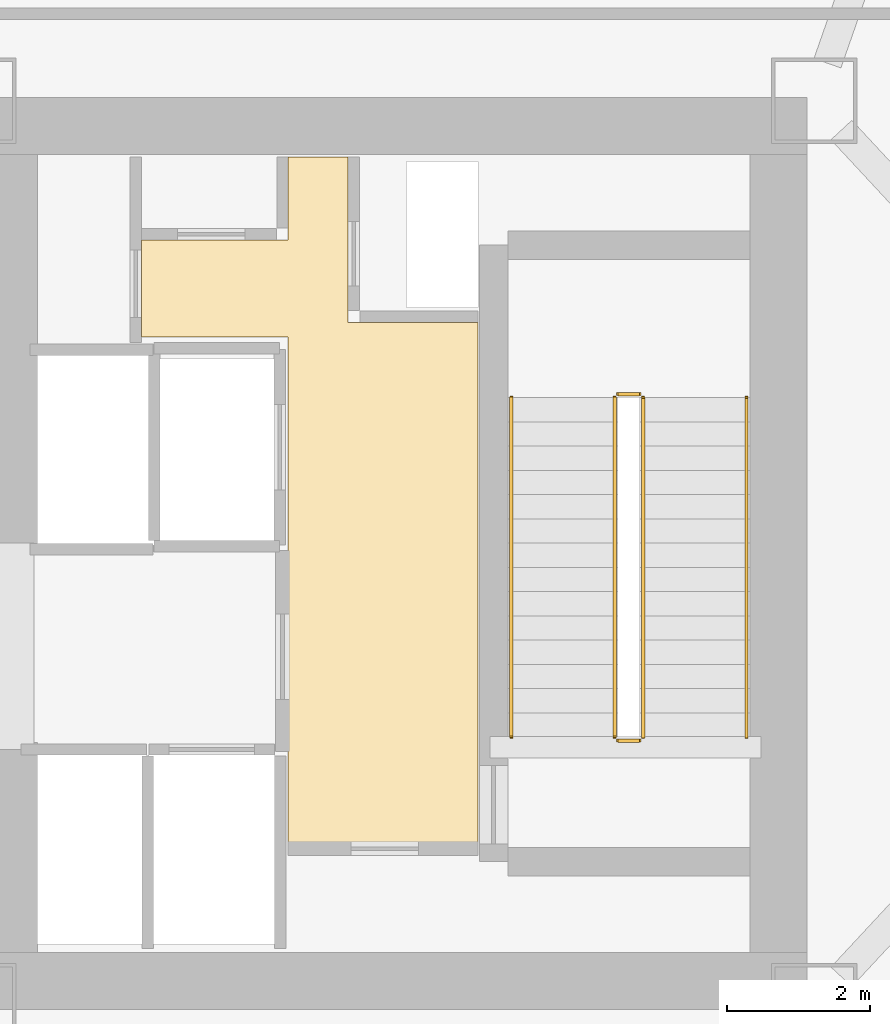
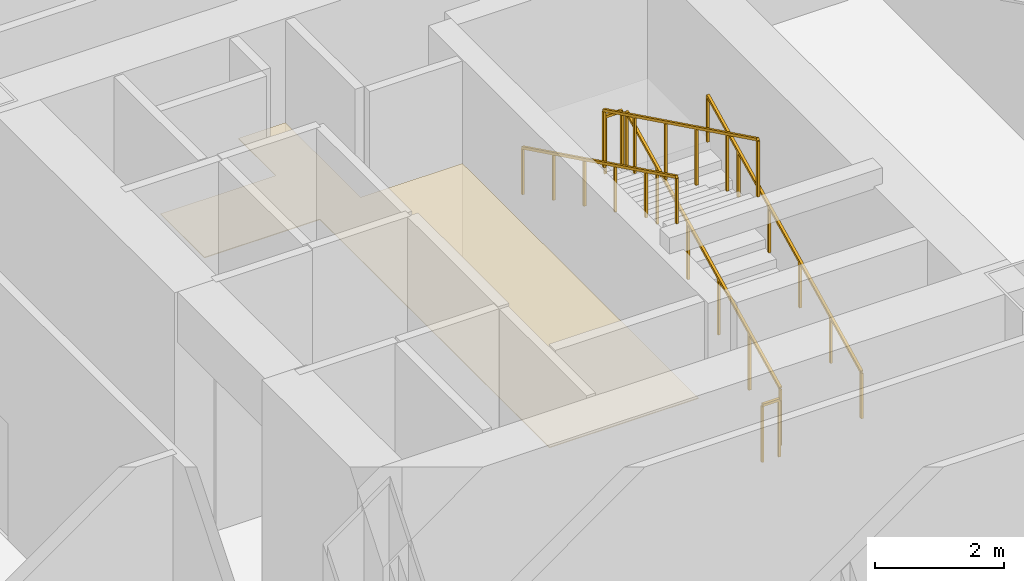
# One storey, part 21 of 21: 6 railings, 1 covering.
"""IFC4 building model written with IfcOpenShell, lengths in metres."""

from ifc_helpers import new_model, si_unit, direction, frame, origin, origin_2d, place, context, subcontext, project, spatial, polyline, rectangle, outline, extrude, material, layer, layer_set, type_object, element, save


model = new_model("IFC4")

# Units and contexts
model_context = context("Model", 3, precision=1e-05, world=origin(), true_north=direction((0.0, 1.0)))
body_context = subcontext(model_context, "Body", "Model", "MODEL_VIEW")
ifc_project = project(units=[si_unit("LENGTHUNIT", "METRE"), si_unit("AREAUNIT", "SQUARE_METRE"), si_unit("VOLUMEUNIT", "CUBIC_METRE"), si_unit("PLANEANGLEUNIT", "RADIAN"), si_unit("MASSUNIT", "GRAM", prefix="KILO")], contexts=[model_context])

# Site, building, storey
site_placement = place(None, origin())
site = spatial("IfcSite", under=ifc_project, at=site_placement, CompositionType="ELEMENT")
building_placement = place(site_placement, origin())
building = spatial("IfcBuilding", under=site, at=building_placement, Name="Tavrogorsk Clinical Tower", CompositionType="ELEMENT")
storey_placement = place(building_placement, frame((0.0, 0.0, 8.39990234375)))
storey = spatial("IfcBuildingStorey", under=building, at=storey_placement, Name="L01", CompositionType="ELEMENT", Elevation=8.39990234375)

# Covering
ifc_material_1 = material(Name="Antibacterial micro-perforated aluminium ceiling", Category="aluminium")
ifc_layer_1 = layer(ifc_material_1, 0.014892578125)
ifc_layer_set_1 = layer_set([ifc_layer_1], Name="Antibacterial micro-perforated aluminium ceiling")
covering_type = type_object("IfcCoveringType", Name="ClinicalCeiling_15", PredefinedType="CEILING", material=ifc_layer_set_1)
covering_placement = place(storey_placement, frame((0.0, 0.0, 2.75)))
element("IfcCovering", 1, at=covering_placement, inside=storey, type_object=covering_type, Name="Core East Firefighting Lift Lobby Acoustic Ceiling", PredefinedType="CEILING", context=body_context, shape_type="SweptSolid", body=[
    extrude(outline(polyline([(14.719970703125, 3.0400390625), (12.659912109375, 3.0400390625), (12.659912109375, 4.39990234375), (14.719970703125, 4.39990234375), (14.719970703125, 5.56005859375), (15.56005859375, 5.56005859375), (15.56005859375, 3.239990234375), (17.3798828125, 3.239990234375), (17.3798828125, -4.06005859375), (14.719970703125, -4.06005859375), (14.719970703125, 3.0400390625)])), origin(), (0.0, 0.0, 1.0), 0.01513671875),
])

# Railings
ifc_material_2 = material(Name="Galvanised steel S355 safety stairwell guard", Category="steel")
ifc_layer_2 = layer(ifc_material_2, 0.06005859375)
ifc_layer_set_2 = layer_set([ifc_layer_2], Name="Galvanised steel S355 safety stairwell guard")
railing_type_1 = type_object("IfcRailingType", Name="StairGuard_1150", PredefinedType="GUARDRAIL", material=ifc_layer_set_2)
railing_1_placement = place(storey_placement, frame((19.699951171875, -2.574951171875, 0.166748046875)))
element("IfcRailing", 2, at=railing_1_placement, inside=storey, type_object=railing_type_1, Name="L01 ST-E stair guard 1", PredefinedType="GUARDRAIL", context=body_context, shape_type="SweptSolid", body=[
    extrude(rectangle(XDim=0.048095703125, YDim=0.048095703125, at=origin_2d()), frame((0.0, 0.0, 1.076171875), z_axis=(0.0, 0.897927146867, 0.440144111535), x_axis=(-1.0, 0.0, 0.0)), (0.0, 0.0, 1.0), 5.301025390625),
    extrude(rectangle(XDim=0.0419921875, YDim=0.0419921875, at=origin_2d()), origin(), (0.0, 0.0, 1.0), 1.052001953125),
    extrude(rectangle(XDim=0.0419921875, YDim=0.0419921875, at=origin_2d()), frame((0.0, 0.951904296875, 0.466552734375)), (0.0, 0.0, 1.0), 1.052001953125),
    extrude(rectangle(XDim=0.0419921875, YDim=0.0419921875, at=origin_2d()), frame((0.0, 1.904052734375, 0.933349609375)), (0.0, 0.0, 1.0), 1.052001953125),
    extrude(rectangle(XDim=0.0419921875, YDim=0.0419921875, at=origin_2d()), frame((0.0, 2.85595703125, 1.39990234375)), (0.0, 0.0, 1.0), 1.052001953125),
    extrude(rectangle(XDim=0.0419921875, YDim=0.0419921875, at=origin_2d()), frame((0.0, 3.80810546875, 1.86669921875)), (0.0, 0.0, 1.0), 1.052001953125),
    extrude(rectangle(XDim=0.0419921875, YDim=0.0419921875, at=origin_2d()), frame((0.0, 4.760009765625, 2.333251953125)), (0.0, 0.0, 1.0), 1.052001953125),
])
railing_2_placement = place(storey_placement, frame((19.64990234375, 2.235107421875, 2.5)))
element("IfcRailing", 3, at=railing_2_placement, inside=storey, type_object=railing_type_1, Name="L01 ST-E stair guard 2", PredefinedType="GUARDRAIL", context=body_context, shape_type="SweptSolid", body=[
    extrude(rectangle(XDim=0.048095703125, YDim=0.048095703125, at=origin_2d()), frame((0.0, 0.0, 1.076171875), z_axis=(-1.0, 0.0, 0.0), x_axis=(0.0, -1.0, 0.0)), (0.0, 0.0, 1.0), 0.2998046875),
    extrude(rectangle(XDim=0.0419921875, YDim=0.0419921875, at=origin_2d()), origin(), (0.0, 0.0, 1.0), 1.052001953125),
    extrude(rectangle(XDim=0.0419921875, YDim=0.0419921875, at=origin_2d()), frame((-0.2998046875, 0.0, 0.0)), (0.0, 0.0, 1.0), 1.052001953125),
])
railing_3_placement = place(storey_placement, frame((19.300048828125, 2.18505859375, 2.666748046875)))
element("IfcRailing", 4, at=railing_3_placement, inside=storey, type_object=railing_type_1, Name="L01 ST-E stair guard 3", PredefinedType="GUARDRAIL", context=body_context, shape_type="SweptSolid", body=[
    extrude(rectangle(XDim=0.048095703125, YDim=0.048095703125, at=origin_2d()), frame((0.0, 0.0, 1.076171875), z_axis=(0.0, -0.897927146867, 0.440144111535), x_axis=(1.0, 0.0, 0.0)), (0.0, 0.0, 1.0), 5.301025390625),
    extrude(rectangle(XDim=0.0419921875, YDim=0.0419921875, at=origin_2d()), origin(), (0.0, 0.0, 1.0), 1.052001953125),
    extrude(rectangle(XDim=0.0419921875, YDim=0.0419921875, at=origin_2d()), frame((0.0, -0.951904296875, 0.466552734375)), (0.0, 0.0, 1.0), 1.052001953125),
    extrude(rectangle(XDim=0.0419921875, YDim=0.0419921875, at=origin_2d()), frame((0.0, -1.904052734375, 0.933349609375)), (0.0, 0.0, 1.0), 1.052001953125),
    extrude(rectangle(XDim=0.0419921875, YDim=0.0419921875, at=origin_2d()), frame((0.0, -2.85595703125, 1.39990234375)), (0.0, 0.0, 1.0), 1.052001953125),
    extrude(rectangle(XDim=0.0419921875, YDim=0.0419921875, at=origin_2d()), frame((0.0, -3.80810546875, 1.86669921875)), (0.0, 0.0, 1.0), 1.052001953125),
    extrude(rectangle(XDim=0.0419921875, YDim=0.0419921875, at=origin_2d()), frame((0.0, -4.760009765625, 2.333251953125)), (0.0, 0.0, 1.0), 1.052001953125),
])
railing_4_placement = place(storey_placement, frame((19.64990234375, -2.625, 0.0)))
element("IfcRailing", 5, at=railing_4_placement, inside=storey, type_object=railing_type_1, Name="L01 ST-E stair guard 4", PredefinedType="GUARDRAIL", context=body_context, shape_type="SweptSolid", body=[
    extrude(rectangle(XDim=0.048095703125, YDim=0.048095703125, at=origin_2d()), frame((0.0, 0.0, 1.076171875), z_axis=(-1.0, 0.0, 0.0), x_axis=(0.0, -1.0, 0.0)), (0.0, 0.0, 1.0), 0.2998046875),
    extrude(rectangle(XDim=0.0419921875, YDim=0.0419921875, at=origin_2d()), origin(), (0.0, 0.0, 1.0), 1.052001953125),
    extrude(rectangle(XDim=0.0419921875, YDim=0.0419921875, at=origin_2d()), frame((-0.2998046875, 0.0, 0.0)), (0.0, 0.0, 1.0), 1.052001953125),
])
ifc_material_3 = material(Name="Stainless steel AISI 304 tubular handrail", Category="steel")
ifc_layer_3 = layer(ifc_material_3, 0.050048828125)
ifc_layer_set_3 = layer_set([ifc_layer_3], Name="Stainless steel AISI 304 tubular handrail")
railing_type_2 = type_object("IfcRailingType", Name="StairHandrail_920", PredefinedType="HANDRAIL", material=ifc_layer_set_3)
railing_5_placement = place(storey_placement, frame((21.14990234375, -2.574951171875, 0.166748046875)))
element("IfcRailing", 6, at=railing_5_placement, inside=storey, type_object=railing_type_2, Name="L01 ST-E stair handrail 1", PredefinedType="HANDRAIL", context=body_context, shape_type="SweptSolid", body=[
    extrude(rectangle(XDim=0.048095703125, YDim=0.048095703125, at=origin_2d()), frame((0.0, 0.0, 0.8759765625), z_axis=(0.0, 0.897927146867, 0.440144111535), x_axis=(-1.0, 0.0, 0.0)), (0.0, 0.0, 1.0), 5.301025390625),
    extrude(rectangle(XDim=0.0419921875, YDim=0.0419921875, at=origin_2d()), origin(), (0.0, 0.0, 1.0), 0.851806640625),
    extrude(rectangle(XDim=0.0419921875, YDim=0.0419921875, at=origin_2d()), frame((0.0, 0.951904296875, 0.466552734375)), (0.0, 0.0, 1.0), 0.851806640625),
    extrude(rectangle(XDim=0.0419921875, YDim=0.0419921875, at=origin_2d()), frame((0.0, 1.904052734375, 0.933349609375)), (0.0, 0.0, 1.0), 0.851806640625),
    extrude(rectangle(XDim=0.0419921875, YDim=0.0419921875, at=origin_2d()), frame((0.0, 2.85595703125, 1.39990234375)), (0.0, 0.0, 1.0), 0.851806640625),
    extrude(rectangle(XDim=0.0419921875, YDim=0.0419921875, at=origin_2d()), frame((0.0, 3.80810546875, 1.86669921875)), (0.0, 0.0, 1.0), 0.851806640625),
    extrude(rectangle(XDim=0.0419921875, YDim=0.0419921875, at=origin_2d()), frame((0.0, 4.760009765625, 2.333251953125)), (0.0, 0.0, 1.0), 0.851806640625),
])
railing_6_placement = place(storey_placement, frame((17.85009765625, 2.18505859375, 2.666748046875)))
element("IfcRailing", 7, at=railing_6_placement, inside=storey, type_object=railing_type_2, Name="L01 ST-E stair handrail 2", PredefinedType="HANDRAIL", context=body_context, shape_type="SweptSolid", body=[
    extrude(rectangle(XDim=0.048095703125, YDim=0.048095703125, at=origin_2d()), frame((0.0, 0.0, 0.8759765625), z_axis=(0.0, -0.897927146867, 0.440144111535), x_axis=(1.0, 0.0, 0.0)), (0.0, 0.0, 1.0), 5.301025390625),
    extrude(rectangle(XDim=0.0419921875, YDim=0.0419921875, at=origin_2d()), origin(), (0.0, 0.0, 1.0), 0.851806640625),
    extrude(rectangle(XDim=0.0419921875, YDim=0.0419921875, at=origin_2d()), frame((0.0, -0.951904296875, 0.466552734375)), (0.0, 0.0, 1.0), 0.851806640625),
    extrude(rectangle(XDim=0.0419921875, YDim=0.0419921875, at=origin_2d()), frame((0.0, -1.904052734375, 0.933349609375)), (0.0, 0.0, 1.0), 0.851806640625),
    extrude(rectangle(XDim=0.0419921875, YDim=0.0419921875, at=origin_2d()), frame((0.0, -2.85595703125, 1.39990234375)), (0.0, 0.0, 1.0), 0.851806640625),
    extrude(rectangle(XDim=0.0419921875, YDim=0.0419921875, at=origin_2d()), frame((0.0, -3.80810546875, 1.86669921875)), (0.0, 0.0, 1.0), 0.851806640625),
    extrude(rectangle(XDim=0.0419921875, YDim=0.0419921875, at=origin_2d()), frame((0.0, -4.760009765625, 2.333251953125)), (0.0, 0.0, 1.0), 0.851806640625),
])

save(model, "model.ifc")
